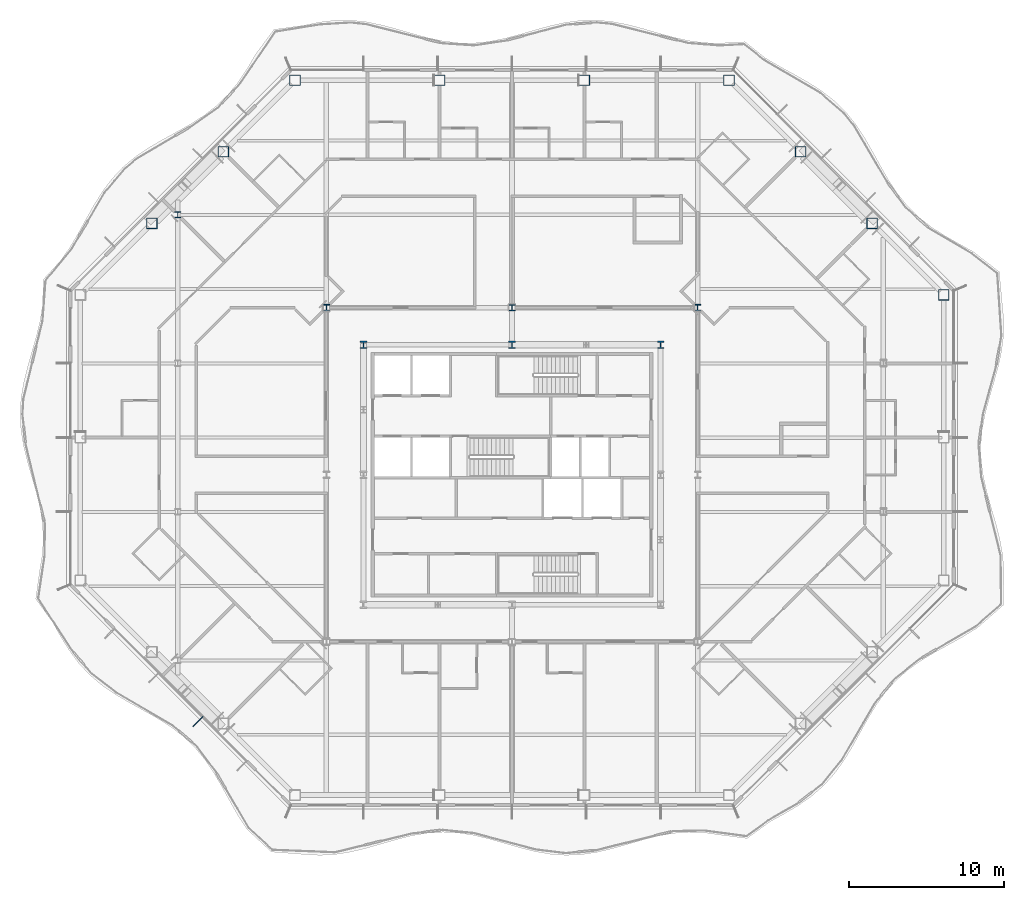
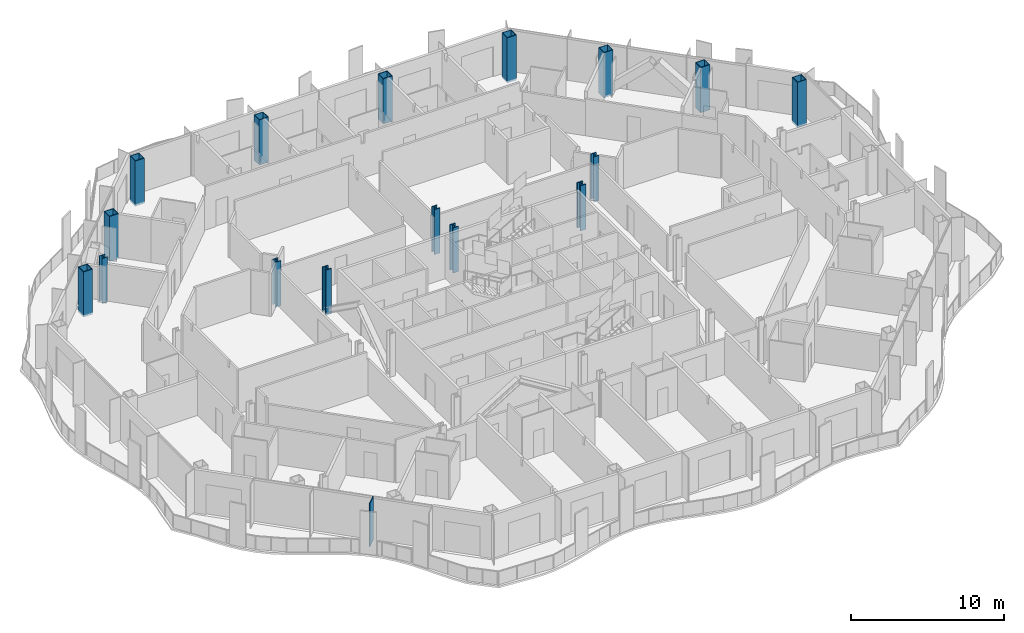
# One storey, part 2 of 21: 16 columns, 1 member, 1 element without a shape of its own.
"""IFC4 building model written with IfcOpenShell, lengths in metres."""

from ifc_helpers import new_model, si_unit, direction, frame, origin, origin_2d, place, context, subcontext, project, spatial, rectangle, hollow_rectangle, i_section, extrude, material, material_profile, profile_set, type_object, element, aggregate, save


model = new_model("IFC4")

# Units and contexts
model_context = context("Model", 3, precision=1e-05, world=origin(), true_north=direction((0.0, 1.0)))
body_context = subcontext(model_context, "Body", "Model", "MODEL_VIEW")
ifc_project = project(units=[si_unit("LENGTHUNIT", "METRE"), si_unit("AREAUNIT", "SQUARE_METRE"), si_unit("VOLUMEUNIT", "CUBIC_METRE"), si_unit("PLANEANGLEUNIT", "RADIAN"), si_unit("MASSUNIT", "GRAM", prefix="KILO")], contexts=[model_context])

# Site, building, storey
site_placement = place(None, origin())
site = spatial("IfcSite", under=ifc_project, at=site_placement, CompositionType="ELEMENT")
building_placement = place(site_placement, origin())
building = spatial("IfcBuilding", under=site, at=building_placement, Name="Cairn Pilgrim Tower", CompositionType="ELEMENT")
storey_placement = place(building_placement, frame((0.0, 0.0, 136.199951171875)))
storey = spatial("IfcBuildingStorey", under=building, at=storey_placement, Name="L33", CompositionType="ELEMENT", Elevation=136.199951171875)

# Columns
ifc_material_1 = material(Name="Structural steel S460M", Category="steel")
ifc_material_profile_1 = material_profile(ifc_material_1, hollow_rectangle(XDim=0.699951171875, YDim=0.699951171875, WallThickness=0.0400390625, at=origin_2d()), Name="BOX 700x700x40")
ifc_profile_set_1 = profile_set([ifc_material_profile_1], Name="Structural steel S460M")
column_type_1 = type_object("IfcColumnType", Name="BOX 700x700x40", PredefinedType="COLUMN", material=ifc_profile_set_1)
for number, where, z_axis, x_axis, name in (
    (1, (35.10009765625, 14.027099609375, -0.14990234375), (0.0, 0.0, 1.0), (1.0, 0.0, 0.0), "PC2-NE1"),
    (2, (30.4755859375, 18.651611328125, -0.14990234375), (0.0, 0.0, 1.0), (1.0, 0.0, 0.0), "PC2-NE2"),
    (3, (25.8515625, 23.275634765625, -0.14990234375), (0.0, 0.0, 1.0), (1.0, 0.0, 0.0), "PC2-NE3"),
    (4, (21.227294921875, 27.89990234375, -0.14990234375), (0.0, 0.0, 1.0), (1.0, 0.0, 0.0), "PC2-N1"),
    (5, (11.875732421875, 27.89990234375, -0.14990234375), (0.0, 0.0, 1.0), (1.0, 0.0, 0.0), "PC2-N2"),
    (6, (2.5244140625, 27.89990234375, -0.14990234375), (0.0, 0.0, 1.0), (1.0, 0.0, 0.0), "PC2-N3"),
    (7, (-6.8271484375, 27.89990234375, -0.14990234375), (0.0, 0.0, 1.0), (1.0, 0.0, 0.0), "PC2-NW1"),
    (8, (-11.451416015625, 23.275634765625, -0.14990234375), (0.0, 0.0, 1.0), (1.0, 0.0, 0.0), "PC2-NW2"),
    (9, (-16.07568359375, 18.651611328125, -0.14990234375), (0.0, 0.0, 1.0), (1.0, 0.0, 0.0), "PC2-NW3"),
):
    element("IfcColumn", number, at=place(storey_placement, frame(where, z_axis=z_axis, x_axis=x_axis)), inside=storey, type_object=column_type_1, Name=name, PredefinedType="COLUMN", context=body_context, shape_type="SweptSolid", body=[
        extrude(hollow_rectangle(XDim=0.699951171875, YDim=0.699951171875, WallThickness=0.0400390625, at=origin_2d()), origin(), (0.0, 0.0, 1.0), 3.599853515625),
    ])
ifc_material_2 = material(Name="Structural steel S355J2", Category="steel")
ifc_material_profile_2 = material_profile(ifc_material_2, i_section(OverallWidth=0.39892578125, OverallDepth=0.39306640625, WebThickness=0.022705078125, FlangeThickness=0.03662109375, FilletRadius=0.014892578125, at=origin_2d()), Name="HD 400x287")
ifc_profile_set_2 = profile_set([ifc_material_profile_2], Name="Structural steel S355J2")
column_type_2 = type_object("IfcColumnType", Name="HD 400x287", PredefinedType="COLUMN", material=ifc_profile_set_2)
column_placement = place(storey_placement, frame((-14.39990234375, 19.199951171875, -0.14990234375), z_axis=(0.0, 0.0, 1.0), x_axis=(1.0, 0.0, 0.0)))
element("IfcColumn", 10, at=column_placement, inside=storey, type_object=column_type_2, Name="WC-WW+4", PredefinedType="COLUMN", context=body_context, shape_type="SweptSolid", body=[
    extrude(i_section(OverallWidth=0.39892578125, OverallDepth=0.39306640625, WebThickness=0.022705078125, FlangeThickness=0.03662109375, FilletRadius=0.014892578125, at=origin_2d()), origin(), (0.0, 0.0, 1.0), 3.599853515625),
])
ifc_material_profile_3 = material_profile(ifc_material_1, i_section(OverallWidth=0.408935546875, OverallDepth=0.425048828125, WebThickness=0.03271484375, FlangeThickness=0.052490234375, FilletRadius=0.014892578125, at=origin_2d()), Name="HD 400x421")
ifc_profile_set_3 = profile_set([ifc_material_profile_3], Name="Structural steel S460M")
column_type_3 = type_object("IfcColumnType", Name="HD 400x421", PredefinedType="COLUMN", material=ifc_profile_set_3)
for number, where, z_axis, x_axis, name in (
    (11, (-4.800048828125, 13.199951171875, -0.14990234375), (0.0, 0.0, 1.0), (1.0, 0.0, 0.0), "IC-6"),
    (12, (7.199951171875, 13.199951171875, -0.14990234375), (0.0, 0.0, 1.0), (1.0, 0.0, 0.0), "IC-7"),
    (13, (19.199951171875, 13.199951171875, -0.14990234375), (0.0, 0.0, 1.0), (1.0, 0.0, 0.0), "IC-8"),
):
    element("IfcColumn", number, at=place(storey_placement, frame(where, z_axis=z_axis, x_axis=x_axis)), inside=storey, type_object=column_type_3, Name=name, PredefinedType="COLUMN", context=body_context, shape_type="SweptSolid", body=[
        extrude(i_section(OverallWidth=0.408935546875, OverallDepth=0.425048828125, WebThickness=0.03271484375, FlangeThickness=0.052490234375, FilletRadius=0.014892578125, at=origin_2d()), origin(), (0.0, 0.0, 1.0), 3.599853515625),
    ])
ifc_material_profile_4 = material_profile(ifc_material_1, i_section(OverallWidth=0.424072265625, OverallDepth=0.47412109375, WebThickness=0.047607421875, FlangeThickness=0.0771484375, FilletRadius=0.014892578125, at=origin_2d()), Name="HD 400x634")
ifc_profile_set_4 = profile_set([ifc_material_profile_4], Name="Structural steel S460M")
column_type_4 = type_object("IfcColumnType", Name="HD 400x634", PredefinedType="COLUMN", material=ifc_profile_set_4)
for number, where, z_axis, x_axis, name in (
    (14, (-2.39990234375, 10.800048828125, -0.14990234375), (0.0, 0.0, 1.0), (1.0, 0.0, 0.0), "KC-6"),
    (15, (7.199951171875, 10.800048828125, -0.14990234375), (0.0, 0.0, 1.0), (1.0, 0.0, 0.0), "KC-7"),
    (16, (16.800048828125, 10.800048828125, -0.14990234375), (0.0, 0.0, 1.0), (1.0, 0.0, 0.0), "KC-8"),
):
    element("IfcColumn", number, at=place(storey_placement, frame(where, z_axis=z_axis, x_axis=x_axis)), inside=storey, type_object=column_type_4, Name=name, PredefinedType="COLUMN", context=body_context, shape_type="SweptSolid", body=[
        extrude(i_section(OverallWidth=0.424072265625, OverallDepth=0.47412109375, WebThickness=0.047607421875, FlangeThickness=0.0771484375, FilletRadius=0.014892578125, at=origin_2d()), origin(), (0.0, 0.0, 1.0), 3.599853515625),
    ])

# Curtain wall, member
ifc_material_3 = material(Name="Aluminium alloy 6063-T6 bronze anodised with Bronze tinted laminated low-E glass 8+16+8.8", Category="aluminium")
curtain_wall_type = type_object("IfcCurtainWallType", Name="CHAMFER CORNER CURTAIN WALL", PredefinedType="NOTDEFINED", material=ifc_material_3)
curtain_wall_placement = place(storey_placement, origin())
curtain_wall = element("IfcCurtainWall", 17, at=curtain_wall_placement, inside=storey, type_object=curtain_wall_type, Name="Chamfer Corner Curtain Wall SW", PredefinedType="NOTDEFINED")
ifc_material_4 = material(Name="Aluminium alloy 6063-T6 bronze anodised", Category="aluminium")
ifc_material_profile_5 = material_profile(ifc_material_4, rectangle(XDim=0.89990234375, YDim=0.06005859375, at=origin_2d()), Name="FIN MULLION 60x900 BRONZE")
ifc_profile_set_5 = profile_set([ifc_material_profile_5], Name="Aluminium alloy 6063-T6 bronze anodised")
member_type = type_object("IfcMemberType", Name="FIN MULLION 60x900 BRONZE", PredefinedType="MULLION", material=ifc_profile_set_5)
member_placement = place(storey_placement, frame((-13.094970703125, -13.545654296875, 0.0), z_axis=(0.0, 0.0, 1.0), x_axis=(-0.707106781187, -0.707106781187, 0.0)))
member = element("IfcMember", 18, at=member_placement, type_object=member_type, Name="Fin mullion SW4", PredefinedType="MULLION", context=body_context, shape_type="SweptSolid", body=[
    extrude(rectangle(XDim=0.89990234375, YDim=0.06005859375, at=origin_2d()), origin(), (0.0, 0.0, 1.0), 3.449951171875),
])
aggregate(curtain_wall, [member])

save(model, "model.ifc")
